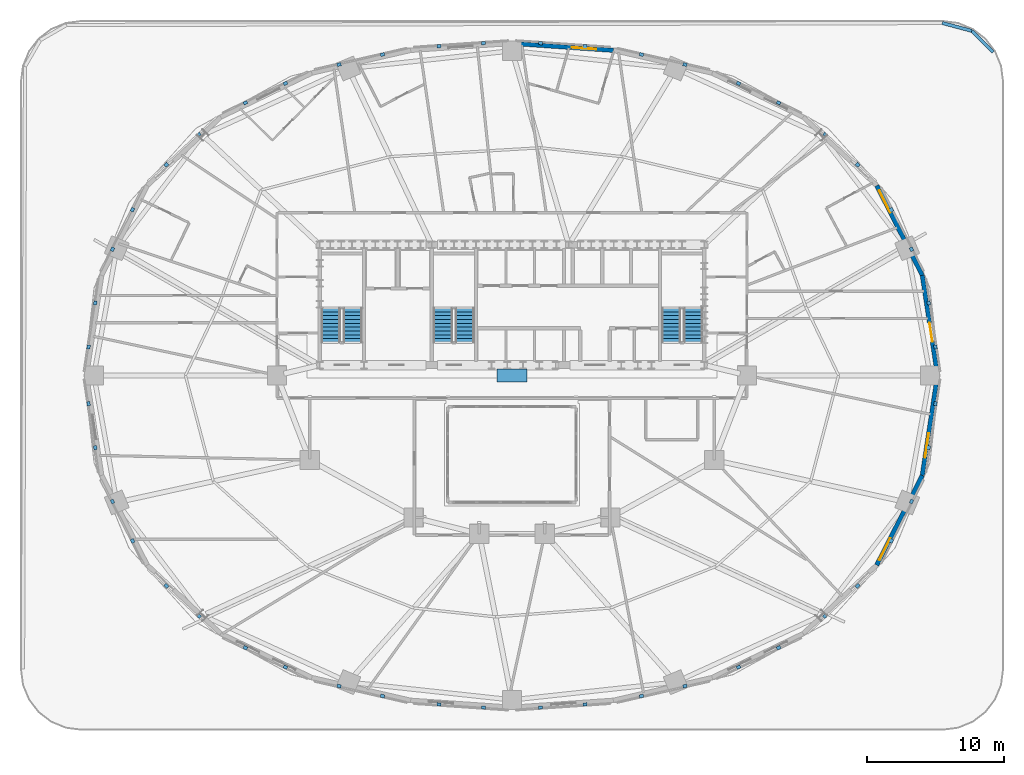
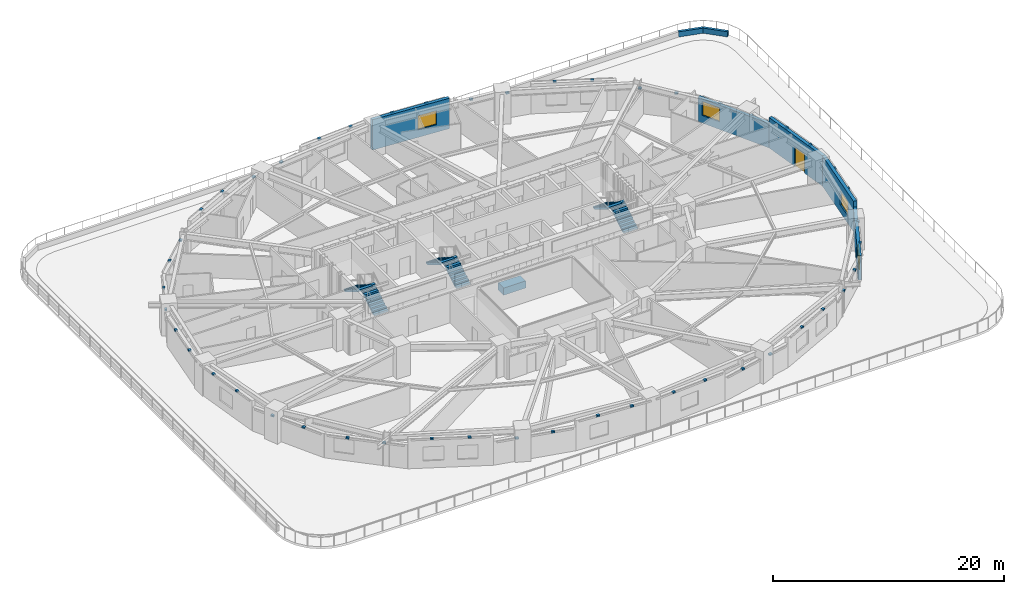
# One storey, part 12 of 18: 49 discrete accessories, 7 walls, 6 stair flights, 4 windows, 1 door, 5 openings, 3 elements without a shape of their own.
"""IFC4 building model written with IfcOpenShell, lengths in metres."""

from ifc_helpers import new_model, si_unit, direction, frame, frame_2d, origin, origin_2d, place, context, subcontext, project, spatial, polyline, rectangle, outline, extrude, material, layer, layer_set, type_object, element, fill, aggregate, save


model = new_model("IFC4")

# Units and contexts
model_context = context("Model", 3, precision=1e-05, world=origin(), true_north=direction((0.0, 1.0)))
body_context = subcontext(model_context, "Body", "Model", "MODEL_VIEW")
ifc_project = project(units=[si_unit("LENGTHUNIT", "METRE"), si_unit("AREAUNIT", "SQUARE_METRE"), si_unit("VOLUMEUNIT", "CUBIC_METRE"), si_unit("PLANEANGLEUNIT", "RADIAN"), si_unit("MASSUNIT", "GRAM", prefix="KILO")], contexts=[model_context])

# Site, building, storey
site_placement = place(None, origin())
site = spatial("IfcSite", under=ifc_project, at=site_placement, CompositionType="ELEMENT")
building_placement = place(site_placement, origin())
building = spatial("IfcBuilding", under=site, at=building_placement, Name="Haldorwick Loom Tower", CompositionType="ELEMENT")
storey_placement = place(building_placement, frame((0.0, 0.0, 24.0)))
storey = spatial("IfcBuildingStorey", under=building, at=storey_placement, Name="L05", CompositionType="ELEMENT", Elevation=24.0)

# Wall, opening, door
ifc_material_1 = material(Name="Pressed Clay Face Brick and Insulated Masonry Backup Assembly", Category="masonry")
ifc_layer_1 = layer(ifc_material_1, 0.320068359375, Name="Pressed Clay Face Brick and Insulated Masonry Backup Assembly", Category="masonry")
ifc_layer_set_1 = layer_set([ifc_layer_1], Name="Pressed Clay Face Brick and Insulated Masonry Backup Assembly")
wall_type_1 = type_object("IfcWallType", Name="ARC-WL-EXT320", PredefinedType="STANDARD", material=ifc_layer_set_1)
wall_1_placement = place(storey_placement, frame((67.135986328125, 26.0, 0.0), z_axis=(0.0, 0.0, 1.0), x_axis=(-0.150476322528, 0.988613613278, 0.0)))
wall_1 = element("IfcWall", 1, at=wall_1_placement, inside=storey, type_object=wall_type_1, Name="L05 Brick Pier and Spandrel Wall 1", PredefinedType="STANDARD", context=body_context, shape_type="SweptSolid", body=[
    extrude(rectangle(XDim=7.40478515625, YDim=0.320068359375, at=frame_2d((3.702392578125, 0.0))), origin(), (0.0, 0.0, 1.0), 3.2099609375),
])
opening_1_placement = place(wall_1_placement, frame((2.493896484375, 0.0, 0.0)))
opening_1 = element("IfcOpeningElement", 2, at=opening_1_placement, cuts=wall_1, Name="Opening D-TR14", PredefinedType="OPENING", context=body_context, shape_type="SweptSolid", body=[
    extrude(rectangle(XDim=1.39990234375, YDim=2.0400390625, at=frame_2d((0.699951171875, 1.02001953125))), frame((0.0, 0.169921875, 0.0), z_axis=(0.0, -1.0, 0.0), x_axis=(1.0, 0.0, 0.0)), (0.0, 0.0, 1.0), 0.340087890625),
])
ifc_material_2 = material(Name="Thermally Broken Anodized Aluminium Curtain Wall Framing", Category="aluminium")
door_type = type_object("IfcDoorType", Name="ARC-DR-EXT-TER", OperationType="DOUBLE_DOOR_SINGLE_SWING", PredefinedType="DOOR", material=ifc_material_2)
door_placement = place(opening_1_placement, origin())
door = element("IfcDoor", 3, at=door_placement, inside=storey, type_object=door_type, Name="L05 Outdoor Terrace Door SLB-L05-TERR-1", OperationType="DOUBLE_DOOR_SINGLE_SWING", OverallHeight=2.0400390625, OverallWidth=1.39990234375, PredefinedType="DOOR", context=body_context, shape_type="SweptSolid", body=[
    extrude(rectangle(XDim=1.39990234375, YDim=2.0400390625, at=frame_2d((0.699951171875, 1.02001953125))), frame((0.0, 0.02490234375, 0.0), z_axis=(0.0, -1.0, 0.0), x_axis=(1.0, 0.0, 0.0)), (0.0, 0.0, 1.0), 0.050048828125),
])
fill(opening_1, door)

# Wall, opening, window
wall_2_placement = place(storey_placement, frame((66.021728515625, 33.320556640625, 0.0), z_axis=(0.0, 0.0, 1.0), x_axis=(-0.452950855928, 0.891535485617, 0.0)))
wall_2 = element("IfcWall", 4, at=wall_2_placement, inside=storey, type_object=wall_type_1, Name="L05 Brick Pier and Spandrel Wall 2", PredefinedType="STANDARD", context=body_context, shape_type="SweptSolid", body=[
    extrude(rectangle(XDim=7.3583984375, YDim=0.320068359375, at=frame_2d((3.67919921875, 0.0))), origin(), (0.0, 0.0, 1.0), 2.569091796875),
])
opening_2_placement = place(wall_2_placement, frame((5.158203125, 0.0, 0.800048828125)))
opening_2 = element("IfcOpeningElement", 5, at=opening_2_placement, cuts=wall_2, Name="Opening W-01", PredefinedType="OPENING", context=body_context, shape_type="SweptSolid", body=[
    extrude(rectangle(XDim=1.800048828125, YDim=1.47998046875, at=frame_2d((0.89990234375, 0.739990234375))), frame((0.0, 0.169921875, 0.0), z_axis=(0.0, -1.0, 0.0), x_axis=(1.0, 0.0, 0.0)), (0.0, 0.0, 1.0), 0.340087890625),
])
ifc_material_3 = material(Name="Triple-Glazed Low-E Argon Insulated Glazing Unit", Category="glass")
window_type = type_object("IfcWindowType", Name="ARC-WIN-W180", PartitioningType="SINGLE_PANEL", PredefinedType="WINDOW", material=ifc_material_3)
window_1_placement = place(opening_2_placement, origin())
window_1 = element("IfcWindow", 6, at=window_1_placement, inside=storey, type_object=window_type, Name="L05 Deep-Set Zone 7A Window 2", OverallHeight=1.47998046875, OverallWidth=1.800048828125, PartitioningType="SINGLE_PANEL", PredefinedType="WINDOW", context=body_context, shape_type="SweptSolid", body=[
    extrude(rectangle(XDim=1.800048828125, YDim=1.47998046875, at=frame_2d((0.89990234375, 0.739990234375))), frame((0.0, 0.030029296875, 0.0), z_axis=(0.0, -1.0, 0.0), x_axis=(1.0, 0.0, 0.0)), (0.0, 0.0, 1.0), 0.06005859375),
])
fill(opening_2, window_1)

wall_3_placement = place(storey_placement, frame((43.411376953125, 49.780517578125, 0.0), z_axis=(0.0, 0.0, 1.0), x_axis=(-0.997645161917, 0.068586667092, 0.0)))
wall_3 = element("IfcWall", 7, at=wall_3_placement, inside=storey, type_object=wall_type_1, Name="L05 Brick Pier and Spandrel Wall 6", PredefinedType="STANDARD", context=body_context, shape_type="SweptSolid", body=[
    extrude(rectangle(XDim=7.428955078125, YDim=0.320068359375, at=frame_2d((3.71435546875, 0.0))), origin(), (0.0, 0.0, 1.0), 3.2099609375),
])
opening_3_placement = place(wall_3_placement, frame((1.245361328125, 0.0, 0.800048828125)))
opening_3 = element("IfcOpeningElement", 8, at=opening_3_placement, cuts=wall_3, Name="Opening W-01", PredefinedType="OPENING", context=body_context, shape_type="SweptSolid", body=[
    extrude(rectangle(XDim=1.800048828125, YDim=1.47998046875, at=frame_2d((0.89990234375, 0.739990234375))), frame((0.0, 0.169921875, 0.0), z_axis=(0.0, -1.0, 0.0), x_axis=(1.0, 0.0, 0.0)), (0.0, 0.0, 1.0), 0.340087890625),
])
window_2_placement = place(opening_3_placement, origin())
window_2 = element("IfcWindow", 9, at=window_2_placement, inside=storey, type_object=window_type, Name="L05 Deep-Set Zone 7A Window 6", OverallHeight=1.47998046875, OverallWidth=1.800048828125, PartitioningType="SINGLE_PANEL", PredefinedType="WINDOW", context=body_context, shape_type="SweptSolid", body=[
    extrude(rectangle(XDim=1.800048828125, YDim=1.47998046875, at=frame_2d((0.89990234375, 0.739990234375))), frame((0.0, 0.030029296875, 0.0), z_axis=(0.0, -1.0, 0.0), x_axis=(1.0, 0.0, 0.0)), (0.0, 0.0, 1.0), 0.06005859375),
])
fill(opening_3, window_2)

wall_4_placement = place(storey_placement, frame((62.688720703125, 12.119140625, 0.0), z_axis=(0.0, 0.0, 1.0), x_axis=(0.452950855928, 0.891535485617, 0.0)))
wall_4 = element("IfcWall", 10, at=wall_4_placement, inside=storey, type_object=wall_type_1, Name="L05 Brick Pier and Spandrel Wall 23", PredefinedType="STANDARD", context=body_context, shape_type="SweptSolid", body=[
    extrude(rectangle(XDim=7.3583984375, YDim=0.320068359375, at=frame_2d((3.67919921875, 0.0))), origin(), (0.0, 0.0, 1.0), 2.569091796875),
])
opening_4_placement = place(wall_4_placement, frame((0.400146484375, 0.0, 0.800048828125)))
opening_4 = element("IfcOpeningElement", 11, at=opening_4_placement, cuts=wall_4, Name="Opening W-01", PredefinedType="OPENING", context=body_context, shape_type="SweptSolid", body=[
    extrude(rectangle(XDim=1.800048828125, YDim=1.47998046875, at=frame_2d((0.89990234375, 0.739990234375))), frame((0.0, 0.169921875, 0.0), z_axis=(0.0, -1.0, 0.0), x_axis=(1.0, 0.0, 0.0)), (0.0, 0.0, 1.0), 0.340087890625),
])
window_3_placement = place(opening_4_placement, origin())
window_3 = element("IfcWindow", 12, at=window_3_placement, inside=storey, type_object=window_type, Name="L05 Deep-Set Zone 7A Window 23", OverallHeight=1.47998046875, OverallWidth=1.800048828125, PartitioningType="SINGLE_PANEL", PredefinedType="WINDOW", context=body_context, shape_type="SweptSolid", body=[
    extrude(rectangle(XDim=1.800048828125, YDim=1.47998046875, at=frame_2d((0.89990234375, 0.739990234375))), frame((0.0, 0.030029296875, 0.0), z_axis=(0.0, -1.0, 0.0), x_axis=(1.0, 0.0, 0.0)), (0.0, 0.0, 1.0), 0.06005859375),
])
fill(opening_4, window_3)

wall_5_placement = place(storey_placement, frame((66.021728515625, 18.679443359375, 0.0), z_axis=(0.0, 0.0, 1.0), x_axis=(0.150476322528, 0.988613613278, 0.0)))
wall_5 = element("IfcWall", 13, at=wall_5_placement, inside=storey, type_object=wall_type_1, Name="L05 Brick Pier and Spandrel Wall 24", PredefinedType="STANDARD", context=body_context, shape_type="SweptSolid", body=[
    extrude(rectangle(XDim=7.40478515625, YDim=0.320068359375, at=frame_2d((3.702392578125, 0.0))), origin(), (0.0, 0.0, 1.0), 3.2099609375),
])
opening_5_placement = place(wall_5_placement, frame((1.321533203125, 0.0, 0.800048828125)))
opening_5 = element("IfcOpeningElement", 14, at=opening_5_placement, cuts=wall_5, Name="Opening W-01", PredefinedType="OPENING", context=body_context, shape_type="SweptSolid", body=[
    extrude(rectangle(XDim=1.800048828125, YDim=1.47998046875, at=frame_2d((0.89990234375, 0.739990234375))), frame((0.0, 0.169921875, 0.0), z_axis=(0.0, -1.0, 0.0), x_axis=(1.0, 0.0, 0.0)), (0.0, 0.0, 1.0), 0.340087890625),
])
window_4_placement = place(opening_5_placement, origin())
window_4 = element("IfcWindow", 15, at=window_4_placement, inside=storey, type_object=window_type, Name="L05 Deep-Set Zone 7A Window 24", OverallHeight=1.47998046875, OverallWidth=1.800048828125, PartitioningType="SINGLE_PANEL", PredefinedType="WINDOW", context=body_context, shape_type="SweptSolid", body=[
    extrude(rectangle(XDim=1.800048828125, YDim=1.47998046875, at=frame_2d((0.89990234375, 0.739990234375))), frame((0.0, 0.030029296875, 0.0), z_axis=(0.0, -1.0, 0.0), x_axis=(1.0, 0.0, 0.0)), (0.0, 0.0, 1.0), 0.06005859375),
])
fill(opening_5, window_4)

# Walls
ifc_layer_2 = layer(ifc_material_1, 0.239990234375, Name="Pressed Clay Face Brick and Insulated Masonry Backup Assembly", Category="masonry")
ifc_layer_set_2 = layer_set([ifc_layer_2], Name="Pressed Clay Face Brick and Insulated Masonry Backup Assembly")
wall_type_2 = type_object("IfcWallType", Name="ARC-WL-PARAPET240", PredefinedType="PARAPET", material=ifc_layer_set_2)
wall_6_placement = place(storey_placement, frame((67.4853515625, 51.780029296875, 0.0), z_axis=(0.0, 0.0, 1.0), x_axis=(0.966147645073, -0.25798978259, 0.0)))
element("IfcWall", 16, at=wall_6_placement, inside=storey, type_object=wall_type_2, Name="L05 Terrace Masonry Parapet 5", PredefinedType="PARAPET", context=body_context, shape_type="SweptSolid", body=[
    extrude(rectangle(XDim=2.2294921875, YDim=0.239990234375, at=frame_2d((1.11474609375, 0.0))), origin(), (0.0, 0.0, 1.0), 0.550048828125),
])
wall_7_placement = place(storey_placement, frame((69.639404296875, 51.204833984375, 0.0), z_axis=(0.0, 0.0, 1.0), x_axis=(0.707051652603, -0.707161905472, 0.0)))
element("IfcWall", 17, at=wall_7_placement, inside=storey, type_object=wall_type_2, Name="L05 Terrace Masonry Parapet 6", PredefinedType="PARAPET", context=body_context, shape_type="SweptSolid", body=[
    extrude(rectangle(XDim=2.21435546875, YDim=0.239990234375, at=frame_2d((1.107177734375, 0.0))), origin(), (0.0, 0.0, 1.0), 0.550048828125),
])

# Stair, stair flights
ifc_material_4 = material(Name="Concrete C40 (40 MPa)", Category="concrete")
stair_type = type_object("IfcStairType", Name="STR-STR-CORE", PredefinedType="HALF_TURN_STAIR", material=ifc_material_4)
stair_1_placement = place(storey_placement, origin())
stair_1 = element("IfcStair", 18, at=stair_1_placement, inside=storey, type_object=stair_type, Name="L05 Exit Stair ST-01", PredefinedType="HALF_TURN_STAIR")
stair_flight_type = type_object("IfcStairFlightType", Name="STR-STF-1250", PredefinedType="STRAIGHT", material=ifc_material_4)
stair_flight_1_placement = place(storey_placement, frame((24.35009765625, 28.39990234375, 0.0), z_axis=(0.0, 0.0, 1.0), x_axis=(0.0, 1.0, 0.0)))
stair_flight_1 = element("IfcStairFlight", 19, at=stair_flight_1_placement, type_object=stair_flight_type, Name="ST-01 flight 1", NumberOfRisers=10, NumberOfTreads=9, PredefinedType="STRAIGHT", RiserHeight=0.1725, TreadLength=0.28, context=body_context, shape_type="SweptSolid", body=[
    extrude(outline(polyline([(0.0, 0.0), (0.0, 0.172607421875), (0.280029296875, 0.172607421875), (0.280029296875, 0.344970703125), (0.56005859375, 0.344970703125), (0.56005859375, 0.517578125), (0.840087890625, 0.517578125), (0.840087890625, 0.68994140625), (1.1201171875, 0.68994140625), (1.1201171875, 0.862548828125), (1.39990234375, 0.862548828125), (1.39990234375, 1.034912109375), (1.679931640625, 1.034912109375), (1.679931640625, 1.20751953125), (1.9599609375, 1.20751953125), (1.9599609375, 1.3798828125), (2.239990234375, 1.3798828125), (2.239990234375, 1.552490234375), (2.52001953125, 1.552490234375), (2.52001953125, 1.72509765625), (2.52001953125, 1.37646484375), (0.285888671875, 0.0), (0.0, 0.0)])), frame((0.0, 0.699951171875, 0.0), z_axis=(0.0, -1.0, 0.0), x_axis=(1.0, 0.0, 0.0)), (0.0, 0.0, 1.0), 1.39990234375),
])
stair_flight_2_placement = place(storey_placement, frame((22.75, 30.919921875, 1.72509765625), z_axis=(0.0, 0.0, 1.0), x_axis=(0.0, -1.0, 0.0)))
stair_flight_2 = element("IfcStairFlight", 20, at=stair_flight_2_placement, type_object=stair_flight_type, Name="ST-01 flight 2", NumberOfRisers=10, NumberOfTreads=9, PredefinedType="STRAIGHT", RiserHeight=0.1725, TreadLength=0.28, context=body_context, shape_type="SweptSolid", body=[
    extrude(outline(polyline([(0.0, 0.0), (0.0, 0.172607421875), (0.280029296875, 0.172607421875), (0.280029296875, 0.344970703125), (0.56005859375, 0.344970703125), (0.56005859375, 0.517578125), (0.840087890625, 0.517578125), (0.840087890625, 0.68994140625), (1.1201171875, 0.68994140625), (1.1201171875, 0.862548828125), (1.39990234375, 0.862548828125), (1.39990234375, 1.034912109375), (1.679931640625, 1.034912109375), (1.679931640625, 1.20751953125), (1.9599609375, 1.20751953125), (1.9599609375, 1.3798828125), (2.239990234375, 1.3798828125), (2.239990234375, 1.552490234375), (2.52001953125, 1.552490234375), (2.52001953125, 1.72509765625), (2.52001953125, 1.37646484375), (0.285888671875, 0.0), (0.0, 0.0)])), frame((0.0, 0.699951171875, 0.0), z_axis=(0.0, -1.0, 0.0), x_axis=(1.0, 0.0, 0.0)), (0.0, 0.0, 1.0), 1.39990234375),
])
aggregate(stair_1, [stair_flight_1, stair_flight_2])

stair_2_placement = place(storey_placement, origin())
stair_2 = element("IfcStair", 21, at=stair_2_placement, inside=storey, type_object=stair_type, Name="L05 Exit Stair ST-02", PredefinedType="HALF_TURN_STAIR")
stair_flight_3_placement = place(storey_placement, frame((49.25, 28.39990234375, 0.0), z_axis=(0.0, 0.0, 1.0), x_axis=(0.0, 1.0, 0.0)))
stair_flight_3 = element("IfcStairFlight", 22, at=stair_flight_3_placement, type_object=stair_flight_type, Name="ST-02 flight 1", NumberOfRisers=10, NumberOfTreads=9, PredefinedType="STRAIGHT", RiserHeight=0.1725, TreadLength=0.28, context=body_context, shape_type="SweptSolid", body=[
    extrude(outline(polyline([(0.0, 0.0), (0.0, 0.172607421875), (0.280029296875, 0.172607421875), (0.280029296875, 0.344970703125), (0.56005859375, 0.344970703125), (0.56005859375, 0.517578125), (0.840087890625, 0.517578125), (0.840087890625, 0.68994140625), (1.1201171875, 0.68994140625), (1.1201171875, 0.862548828125), (1.39990234375, 0.862548828125), (1.39990234375, 1.034912109375), (1.679931640625, 1.034912109375), (1.679931640625, 1.20751953125), (1.9599609375, 1.20751953125), (1.9599609375, 1.3798828125), (2.239990234375, 1.3798828125), (2.239990234375, 1.552490234375), (2.52001953125, 1.552490234375), (2.52001953125, 1.72509765625), (2.52001953125, 1.37646484375), (0.285888671875, 0.0), (0.0, 0.0)])), frame((0.0, 0.699951171875, 0.0), z_axis=(0.0, -1.0, 0.0), x_axis=(1.0, 0.0, 0.0)), (0.0, 0.0, 1.0), 1.39990234375),
])
stair_flight_4_placement = place(storey_placement, frame((47.64990234375, 30.919921875, 1.72509765625), z_axis=(0.0, 0.0, 1.0), x_axis=(0.0, -1.0, 0.0)))
stair_flight_4 = element("IfcStairFlight", 23, at=stair_flight_4_placement, type_object=stair_flight_type, Name="ST-02 flight 2", NumberOfRisers=10, NumberOfTreads=9, PredefinedType="STRAIGHT", RiserHeight=0.1725, TreadLength=0.28, context=body_context, shape_type="SweptSolid", body=[
    extrude(outline(polyline([(0.0, 0.0), (0.0, 0.172607421875), (0.280029296875, 0.172607421875), (0.280029296875, 0.344970703125), (0.56005859375, 0.344970703125), (0.56005859375, 0.517578125), (0.840087890625, 0.517578125), (0.840087890625, 0.68994140625), (1.1201171875, 0.68994140625), (1.1201171875, 0.862548828125), (1.39990234375, 0.862548828125), (1.39990234375, 1.034912109375), (1.679931640625, 1.034912109375), (1.679931640625, 1.20751953125), (1.9599609375, 1.20751953125), (1.9599609375, 1.3798828125), (2.239990234375, 1.3798828125), (2.239990234375, 1.552490234375), (2.52001953125, 1.552490234375), (2.52001953125, 1.72509765625), (2.52001953125, 1.37646484375), (0.285888671875, 0.0), (0.0, 0.0)])), frame((0.0, 0.699951171875, 0.0), z_axis=(0.0, -1.0, 0.0), x_axis=(1.0, 0.0, 0.0)), (0.0, 0.0, 1.0), 1.39990234375),
])
aggregate(stair_2, [stair_flight_3, stair_flight_4])

stair_3_placement = place(storey_placement, origin())
stair_3 = element("IfcStair", 24, at=stair_3_placement, inside=storey, type_object=stair_type, Name="L05 Exit Stair ST-03", PredefinedType="HALF_TURN_STAIR")
stair_flight_5_placement = place(storey_placement, frame((32.550048828125, 28.39990234375, 0.0), z_axis=(0.0, 0.0, 1.0), x_axis=(0.0, 1.0, 0.0)))
stair_flight_5 = element("IfcStairFlight", 25, at=stair_flight_5_placement, type_object=stair_flight_type, Name="ST-03 flight 1", NumberOfRisers=10, NumberOfTreads=9, PredefinedType="STRAIGHT", RiserHeight=0.1725, TreadLength=0.28, context=body_context, shape_type="SweptSolid", body=[
    extrude(outline(polyline([(0.0, 0.0), (0.0, 0.172607421875), (0.280029296875, 0.172607421875), (0.280029296875, 0.344970703125), (0.56005859375, 0.344970703125), (0.56005859375, 0.517578125), (0.840087890625, 0.517578125), (0.840087890625, 0.68994140625), (1.1201171875, 0.68994140625), (1.1201171875, 0.862548828125), (1.39990234375, 0.862548828125), (1.39990234375, 1.034912109375), (1.679931640625, 1.034912109375), (1.679931640625, 1.20751953125), (1.9599609375, 1.20751953125), (1.9599609375, 1.3798828125), (2.239990234375, 1.3798828125), (2.239990234375, 1.552490234375), (2.52001953125, 1.552490234375), (2.52001953125, 1.72509765625), (2.52001953125, 1.37646484375), (0.285888671875, 0.0), (0.0, 0.0)])), frame((0.0, 0.699951171875, 0.0), z_axis=(0.0, -1.0, 0.0), x_axis=(1.0, 0.0, 0.0)), (0.0, 0.0, 1.0), 1.39990234375),
])
stair_flight_6_placement = place(storey_placement, frame((30.949951171875, 30.919921875, 1.72509765625), z_axis=(0.0, 0.0, 1.0), x_axis=(0.0, -1.0, 0.0)))
stair_flight_6 = element("IfcStairFlight", 26, at=stair_flight_6_placement, type_object=stair_flight_type, Name="ST-03 flight 2", NumberOfRisers=10, NumberOfTreads=9, PredefinedType="STRAIGHT", RiserHeight=0.1725, TreadLength=0.28, context=body_context, shape_type="SweptSolid", body=[
    extrude(outline(polyline([(0.0, 0.0), (0.0, 0.172607421875), (0.280029296875, 0.172607421875), (0.280029296875, 0.344970703125), (0.56005859375, 0.344970703125), (0.56005859375, 0.517578125), (0.840087890625, 0.517578125), (0.840087890625, 0.68994140625), (1.1201171875, 0.68994140625), (1.1201171875, 0.862548828125), (1.39990234375, 0.862548828125), (1.39990234375, 1.034912109375), (1.679931640625, 1.034912109375), (1.679931640625, 1.20751953125), (1.9599609375, 1.20751953125), (1.9599609375, 1.3798828125), (2.239990234375, 1.3798828125), (2.239990234375, 1.552490234375), (2.52001953125, 1.552490234375), (2.52001953125, 1.72509765625), (2.52001953125, 1.37646484375), (0.285888671875, 0.0), (0.0, 0.0)])), frame((0.0, 0.699951171875, 0.0), z_axis=(0.0, -1.0, 0.0), x_axis=(1.0, 0.0, 0.0)), (0.0, 0.0, 1.0), 1.39990234375),
])
aggregate(stair_3, [stair_flight_5, stair_flight_6])

# Discrete accessories
ifc_material_5 = material(Name="Galvanized Steel CSA G40.21 350W", Category="steel")
discrete_accessory_type_1 = type_object("IfcDiscreteAccessoryType", Name="ARC-ACC-BRACKET", PredefinedType="BRACKET", material=ifc_material_5)
for number, where, z_axis, x_axis, name in (
    (27, (66.982177734375, 28.07373046875, 3.0498046875), (0.0, 0.0, 1.0), (-0.151260820247, 0.988493886809, 0.0), "L05 Stainless Masonry Shelf Angle Bracket 1L"),
    (28, (66.491943359375, 31.294921875, 3.0498046875), (0.0, 0.0, 1.0), (-0.151260820247, 0.988493886809, 0.0), "L05 Stainless Masonry Shelf Angle Bracket 1R"),
    (29, (65.231201171875, 35.22998046875, 2.4091796875), (0.0, 0.0, 1.0), (-0.452434709312, 0.891797529605, 0.0), "L05 Stainless Masonry Shelf Angle Bracket 2L"),
    (30, (63.7646484375, 38.116455078125, 2.4091796875), (0.0, 0.0, 1.0), (-0.452434709312, 0.891797529605, 0.0), "L05 Stainless Masonry Shelf Angle Bracket 2R"),
    (31, (61.290283203125, 41.402099609375, 2.4091796875), (0.0, 0.0, 1.0), (-0.731353701619, 0.681998360062, 0.0), "L05 Stainless Masonry Shelf Angle Bracket 3L"),
    (32, (58.9208984375, 43.60888671875, 2.4091796875), (0.0, 0.0, 1.0), (-0.731353701619, 0.681998360062, 0.0), "L05 Stainless Masonry Shelf Angle Bracket 3R"),
    (33, (55.50927734375, 45.941650390625, 3.0498046875), (0.0, 0.0, 1.0), (-0.900318771402, 0.435231099372, 0.0), "L05 Stainless Masonry Shelf Angle Bracket 4L"),
    (34, (52.5791015625, 47.3583984375, 3.0498046875), (0.0, 0.0, 1.0), (-0.900318771402, 0.435231099372, 0.0), "L05 Stainless Masonry Shelf Angle Bracket 4R"),
    (35, (48.6552734375, 48.73779296875, 2.4091796875), (0.0, 0.0, 1.0), (-0.974370064785, 0.224951054344, 0.0), "L05 Stainless Masonry Shelf Angle Bracket 5L"),
    (36, (45.472412109375, 49.47021484375, 2.4091796875), (0.0, 0.0, 1.0), (-0.974370064785, 0.224951054344, 0.0), "L05 Stainless Masonry Shelf Angle Bracket 5R"),
    (37, (41.34716796875, 50.082763671875, 3.0498046875), (0.0, 0.0, 1.0), (-0.997684278836, 0.068015290665, 0.0), "L05 Stainless Masonry Shelf Angle Bracket 6L"),
    (38, (38.086181640625, 50.306884765625, 3.0498046875), (0.0, 0.0, 1.0), (-0.997684278836, 0.068015290665, 0.0), "L05 Stainless Masonry Shelf Angle Bracket 6R"),
    (39, (33.913818359375, 50.306884765625, 3.0498046875), (0.0, 0.0, 1.0), (-0.997684278836, -0.068015290665, 0.0), "L05 Stainless Masonry Shelf Angle Bracket 7L"),
    (40, (30.65283203125, 50.082763671875, 3.0498046875), (0.0, 0.0, 1.0), (-0.997684278836, -0.068015290665, 0.0), "L05 Stainless Masonry Shelf Angle Bracket 7R"),
    (41, (26.527587890625, 49.47021484375, 2.4091796875), (0.0, 0.0, 1.0), (-0.974370064785, -0.224951054344, 0.0), "L05 Stainless Masonry Shelf Angle Bracket 8L"),
    (42, (23.3447265625, 48.73779296875, 2.4091796875), (0.0, 0.0, 1.0), (-0.974370064785, -0.224951054344, 0.0), "L05 Stainless Masonry Shelf Angle Bracket 8R"),
    (43, (19.4208984375, 47.3583984375, 3.0498046875), (0.0, 0.0, 1.0), (-0.900318771402, -0.435231099372, 0.0), "L05 Stainless Masonry Shelf Angle Bracket 9L"),
    (44, (16.49072265625, 45.941650390625, 3.0498046875), (0.0, 0.0, 1.0), (-0.900318771402, -0.435231099372, 0.0), "L05 Stainless Masonry Shelf Angle Bracket 9R"),
    (45, (13.0791015625, 43.60888671875, 2.4091796875), (0.0, 0.0, 1.0), (-0.731353701619, -0.681998360062, 0.0), "L05 Stainless Masonry Shelf Angle Bracket 10L"),
    (46, (10.709716796875, 41.402099609375, 2.4091796875), (0.0, 0.0, 1.0), (-0.731353701619, -0.681998360062, 0.0), "L05 Stainless Masonry Shelf Angle Bracket 10R"),
    (47, (8.2353515625, 38.116455078125, 2.4091796875), (0.0, 0.0, 1.0), (-0.452434709312, -0.891797529605, 0.0), "L05 Stainless Masonry Shelf Angle Bracket 11L"),
    (48, (6.768798828125, 35.22998046875, 2.4091796875), (0.0, 0.0, 1.0), (-0.452434709312, -0.891797529605, 0.0), "L05 Stainless Masonry Shelf Angle Bracket 11R"),
    (49, (5.508056640625, 31.294921875, 3.0498046875), (0.0, 0.0, 1.0), (-0.151260820247, -0.988493886809, 0.0), "L05 Stainless Masonry Shelf Angle Bracket 12L"),
    (50, (5.017822265625, 28.07373046875, 3.0498046875), (0.0, 0.0, 1.0), (-0.151260820247, -0.988493886809, 0.0), "L05 Stainless Masonry Shelf Angle Bracket 12R"),
    (51, (5.017822265625, 23.92626953125, 3.0498046875), (0.0, 0.0, 1.0), (0.151260820247, -0.988493886809, 0.0), "L05 Stainless Masonry Shelf Angle Bracket 13L"),
    (52, (5.508056640625, 20.705078125, 3.0498046875), (0.0, 0.0, 1.0), (0.151260820247, -0.988493886809, 0.0), "L05 Stainless Masonry Shelf Angle Bracket 13R"),
    (53, (6.768798828125, 16.77001953125, 2.4091796875), (0.0, 0.0, 1.0), (0.452434709312, -0.891797529605, 0.0), "L05 Stainless Masonry Shelf Angle Bracket 14L"),
    (54, (8.2353515625, 13.883544921875, 2.4091796875), (0.0, 0.0, 1.0), (0.452434709312, -0.891797529605, 0.0), "L05 Stainless Masonry Shelf Angle Bracket 14R"),
    (55, (10.709716796875, 10.597900390625, 2.4091796875), (0.0, 0.0, 1.0), (0.731353701619, -0.681998360062, 0.0), "L05 Stainless Masonry Shelf Angle Bracket 15L"),
    (56, (13.0791015625, 8.39111328125, 2.4091796875), (0.0, 0.0, 1.0), (0.731353701619, -0.681998360062, 0.0), "L05 Stainless Masonry Shelf Angle Bracket 15R"),
    (57, (16.49072265625, 6.058349609375, 3.0498046875), (0.0, 0.0, 1.0), (0.900318771402, -0.435231099372, 0.0), "L05 Stainless Masonry Shelf Angle Bracket 16L"),
    (58, (19.4208984375, 4.6416015625, 3.0498046875), (0.0, 0.0, 1.0), (0.900318771402, -0.435231099372, 0.0), "L05 Stainless Masonry Shelf Angle Bracket 16R"),
    (59, (23.3447265625, 3.26220703125, 2.4091796875), (0.0, 0.0, 1.0), (0.974370064785, -0.224951054344, 0.0), "L05 Stainless Masonry Shelf Angle Bracket 17L"),
    (60, (26.527587890625, 2.52978515625, 2.4091796875), (0.0, 0.0, 1.0), (0.974370064785, -0.224951054344, 0.0), "L05 Stainless Masonry Shelf Angle Bracket 17R"),
    (61, (30.65283203125, 1.917236328125, 3.0498046875), (0.0, 0.0, 1.0), (0.997684278836, -0.068015290665, 0.0), "L05 Stainless Masonry Shelf Angle Bracket 18L"),
    (62, (33.913818359375, 1.693115234375, 3.0498046875), (0.0, 0.0, 1.0), (0.997684278836, -0.068015290665, 0.0), "L05 Stainless Masonry Shelf Angle Bracket 18R"),
    (63, (38.086181640625, 1.693115234375, 3.0498046875), (0.0, 0.0, 1.0), (0.997684278836, 0.068015290665, 0.0), "L05 Stainless Masonry Shelf Angle Bracket 19L"),
    (64, (41.34716796875, 1.917236328125, 3.0498046875), (0.0, 0.0, 1.0), (0.997684278836, 0.068015290665, 0.0), "L05 Stainless Masonry Shelf Angle Bracket 19R"),
    (65, (45.472412109375, 2.52978515625, 2.4091796875), (0.0, 0.0, 1.0), (0.974370064785, 0.224951054344, 0.0), "L05 Stainless Masonry Shelf Angle Bracket 20L"),
    (66, (48.6552734375, 3.26220703125, 2.4091796875), (0.0, 0.0, 1.0), (0.974370064785, 0.224951054344, 0.0), "L05 Stainless Masonry Shelf Angle Bracket 20R"),
    (67, (52.5791015625, 4.6416015625, 3.0498046875), (0.0, 0.0, 1.0), (0.900318771402, 0.435231099372, 0.0), "L05 Stainless Masonry Shelf Angle Bracket 21L"),
    (68, (55.50927734375, 6.058349609375, 3.0498046875), (0.0, 0.0, 1.0), (0.900318771402, 0.435231099372, 0.0), "L05 Stainless Masonry Shelf Angle Bracket 21R"),
    (69, (58.9208984375, 8.39111328125, 2.4091796875), (0.0, 0.0, 1.0), (0.731353701619, 0.681998360062, 0.0), "L05 Stainless Masonry Shelf Angle Bracket 22L"),
    (70, (61.290283203125, 10.597900390625, 2.4091796875), (0.0, 0.0, 1.0), (0.731353701619, 0.681998360062, 0.0), "L05 Stainless Masonry Shelf Angle Bracket 22R"),
    (71, (63.7646484375, 13.883544921875, 2.4091796875), (0.0, 0.0, 1.0), (0.452434709312, 0.891797529605, 0.0), "L05 Stainless Masonry Shelf Angle Bracket 23L"),
    (72, (65.231201171875, 16.77001953125, 2.4091796875), (0.0, 0.0, 1.0), (0.452434709312, 0.891797529605, 0.0), "L05 Stainless Masonry Shelf Angle Bracket 23R"),
    (73, (66.491943359375, 20.705078125, 3.0498046875), (0.0, 0.0, 1.0), (0.151260820247, 0.988493886809, 0.0), "L05 Stainless Masonry Shelf Angle Bracket 24L"),
    (74, (66.982177734375, 23.92626953125, 3.0498046875), (0.0, 0.0, 1.0), (0.151260820247, 0.988493886809, 0.0), "L05 Stainless Masonry Shelf Angle Bracket 24R"),
):
    element("IfcDiscreteAccessory", number, at=place(storey_placement, frame(where, z_axis=z_axis, x_axis=x_axis)), inside=storey, type_object=discrete_accessory_type_1, Name=name, PredefinedType="BRACKET", context=body_context, shape_type="SweptSolid", body=[
        extrude(rectangle(XDim=0.300048828125, YDim=0.239990234375, at=origin_2d()), origin(), (0.0, 0.0, 1.0), 0.159912109375),
    ])
ifc_material_6 = material(Name="Architectural Precast Concrete C40 (40 MPa)", Category="concrete")
discrete_accessory_type_2 = type_object("IfcDiscreteAccessoryType", Name="ARC-ACC-PLANTER", PredefinedType="USERDEFINED", material=ifc_material_6)
discrete_accessory_placement = place(storey_placement, frame((36.0, 26.0, 0.0), z_axis=(0.0, 0.0, 1.0), x_axis=(1.0, 0.0, 0.0)))
element("IfcDiscreteAccessory", 75, at=discrete_accessory_placement, inside=storey, type_object=discrete_accessory_type_2, Name="L05 Setback Terrace Planter", ObjectType="PLANTER", PredefinedType="USERDEFINED", context=body_context, shape_type="SweptSolid", body=[
    extrude(rectangle(XDim=2.199951171875, YDim=0.949951171875, at=origin_2d()), origin(), (0.0, 0.0, 1.0), 0.75),
])

save(model, "model.ifc")
